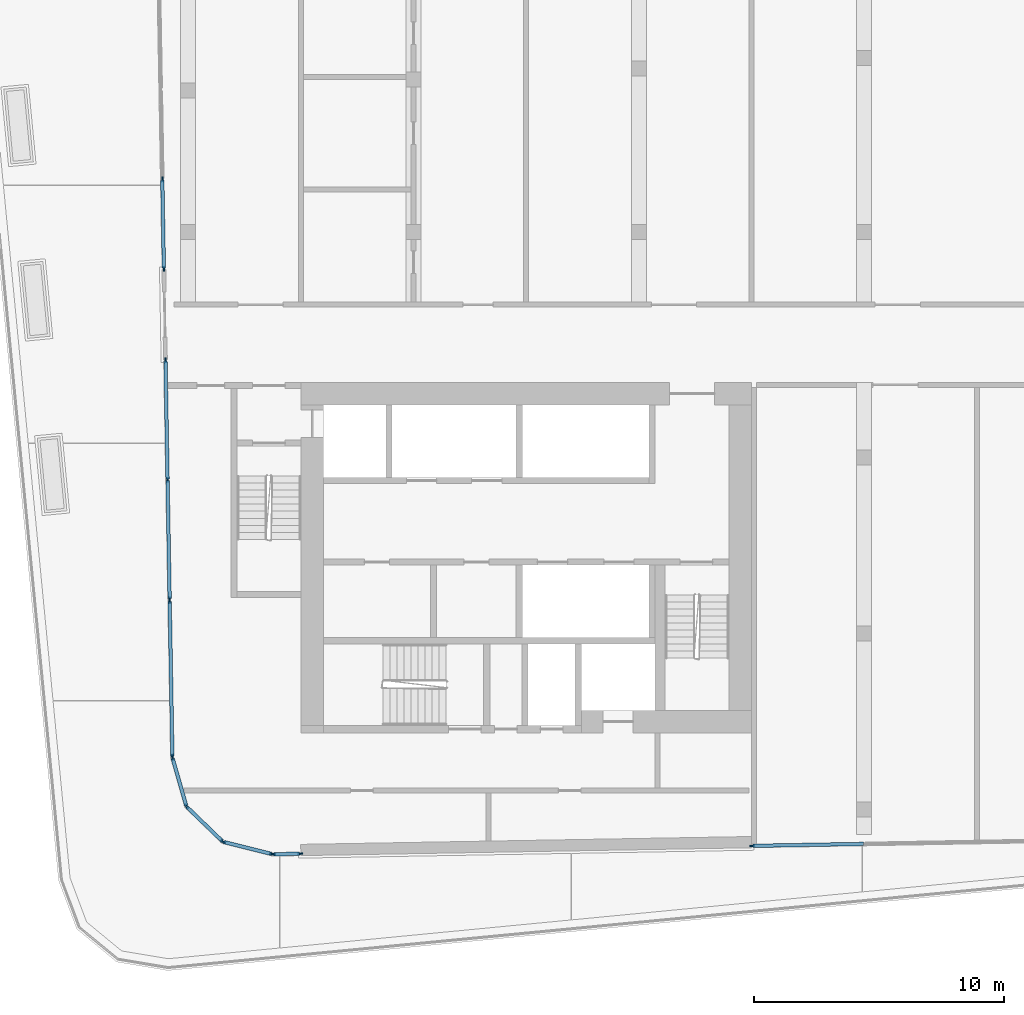
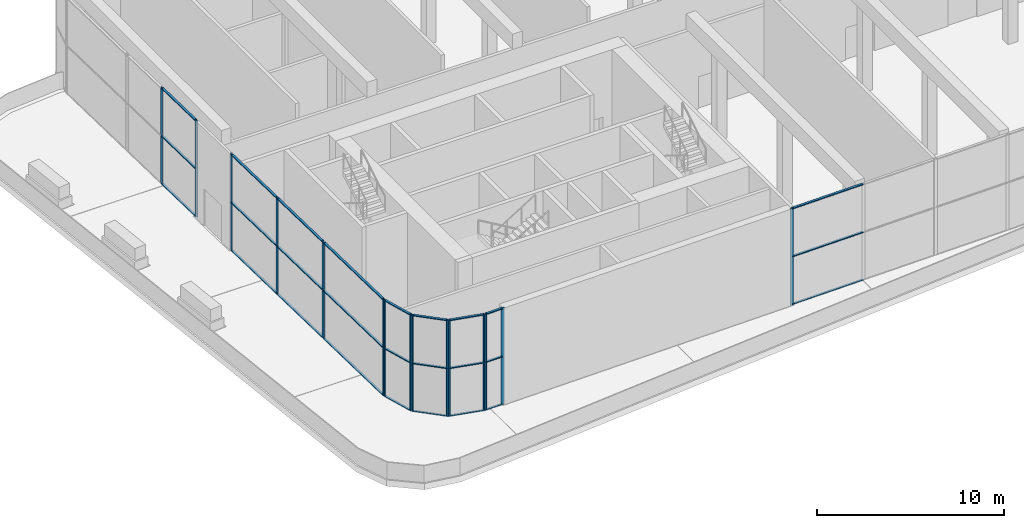
# One storey, part 2 of 24: 43 members, 8 elements without a shape of their own.
"""IFC4 building model written with IfcOpenShell, lengths in metres."""

from ifc_helpers import new_model, si_unit, direction, frame, origin, origin_2d, place, context, subcontext, project, spatial, rectangle, extrude, material, material_profile, profile_set, type_object, element, aggregate, save


model = new_model("IFC4")

# Units and contexts
model_context = context("Model", 3, precision=1e-05, world=origin(), true_north=direction((0.0, 1.0)))
body_context = subcontext(model_context, "Body", "Model", "MODEL_VIEW")
ifc_project = project(units=[si_unit("LENGTHUNIT", "METRE"), si_unit("AREAUNIT", "SQUARE_METRE"), si_unit("VOLUMEUNIT", "CUBIC_METRE"), si_unit("PLANEANGLEUNIT", "RADIAN"), si_unit("MASSUNIT", "GRAM", prefix="KILO")], contexts=[model_context])

# Site, building, storey
site_placement = place(None, origin())
site = spatial("IfcSite", under=ifc_project, at=site_placement, CompositionType="ELEMENT")
building_placement = place(site_placement, origin())
building = spatial("IfcBuilding", under=site, at=building_placement, Name="Kajstack Hotel Tower", CompositionType="ELEMENT")
storey_placement = place(building_placement, frame((0.0, 0.0, 211.10009765625)))
storey = spatial("IfcBuildingStorey", under=building, at=storey_placement, Name="L51", CompositionType="ELEMENT", Elevation=211.10009765625)

# Curtain wall, members
ifc_material_1 = material(Name="Aluminium-framed curtain wall, low-iron insulated glass", Category="aluminium")
curtain_wall_type = type_object("IfcCurtainWallType", Name="CW-GARDEN", PredefinedType="NOTDEFINED", material=ifc_material_1)
curtain_wall_1_placement = place(storey_placement, origin())
curtain_wall_1 = element("IfcCurtainWall", 1, at=curtain_wall_1_placement, inside=storey, type_object=curtain_wall_type, Name="Curtain wall CU6 L51-00-00-1", PredefinedType="NOTDEFINED")
ifc_material_2 = material(Name="Aluminium", Category="aluminium")
ifc_material_profile_1 = material_profile(ifc_material_2, rectangle(XDim=0.06005859375, YDim=0.199951171875, at=origin_2d()), Name="Aluminium mullion 60 x 200")
ifc_profile_set_1 = profile_set([ifc_material_profile_1], Name="Aluminium")
member_type_1 = type_object("IfcMemberType", Name="CW-M-GARDEN", PredefinedType="MULLION", material=ifc_profile_set_1)
member_1_placement = place(storey_placement, frame((-37.0341796875, 6.60107421875, 0.0), z_axis=(0.0, 0.0, 1.0), x_axis=(0.999847656664, 0.017454611534, 0.0)))
member_1 = element("IfcMember", 2, at=member_1_placement, type_object=member_type_1, Name="CU6 mullion 2", PredefinedType="MULLION", context=body_context, shape_type="SweptSolid", body=[
    extrude(rectangle(XDim=0.06005859375, YDim=0.199951171875, at=origin_2d()), origin(), (0.0, 0.0, 1.0), 6.31982421875),
])
member_2_placement = place(storey_placement, frame((-36.9716796875, 3.031005859375, 0.0), z_axis=(0.0, 0.0, 1.0), x_axis=(0.999847656664, 0.017454611534, 0.0)))
member_2 = element("IfcMember", 3, at=member_2_placement, type_object=member_type_1, Name="CU6 mullion 3", PredefinedType="MULLION", context=body_context, shape_type="SweptSolid", body=[
    extrude(rectangle(XDim=0.06005859375, YDim=0.199951171875, at=origin_2d()), origin(), (0.0, 0.0, 1.0), 6.31982421875),
])

curtain_wall_2_placement = place(storey_placement, origin())
curtain_wall_2 = element("IfcCurtainWall", 4, at=curtain_wall_2_placement, inside=storey, type_object=curtain_wall_type, Name="Curtain wall CU6 L51-00-02-0", PredefinedType="NOTDEFINED")
member_3_placement = place(storey_placement, frame((-36.907958984375, -0.62841796875, 0.0), z_axis=(0.0, 0.0, 1.0), x_axis=(0.999847658163, 0.017454525677, 0.0)))
member_3 = element("IfcMember", 5, at=member_3_placement, type_object=member_type_1, Name="CU6 mullion 1", PredefinedType="MULLION", context=body_context, shape_type="SweptSolid", body=[
    extrude(rectangle(XDim=0.06005859375, YDim=0.199951171875, at=origin_2d()), origin(), (0.0, 0.0, 1.0), 6.31982421875),
])
member_4_placement = place(storey_placement, frame((-36.82470703125, -5.398681640625, 0.0), z_axis=(0.0, 0.0, 1.0), x_axis=(0.999847658163, 0.017454525677, 0.0)))
member_4 = element("IfcMember", 6, at=member_4_placement, type_object=member_type_1, Name="CU6 mullion 2", PredefinedType="MULLION", context=body_context, shape_type="SweptSolid", body=[
    extrude(rectangle(XDim=0.06005859375, YDim=0.199951171875, at=origin_2d()), origin(), (0.0, 0.0, 1.0), 6.31982421875),
])
member_5_placement = place(storey_placement, frame((-36.741455078125, -10.168701171875, 0.0), z_axis=(0.0, 0.0, 1.0), x_axis=(0.999847658163, 0.017454525677, 0.0)))
member_5 = element("IfcMember", 7, at=member_5_placement, type_object=member_type_1, Name="CU6 mullion 3", PredefinedType="MULLION", context=body_context, shape_type="SweptSolid", body=[
    extrude(rectangle(XDim=0.06005859375, YDim=0.199951171875, at=origin_2d()), origin(), (0.0, 0.0, 1.0), 6.31982421875),
])

curtain_wall_3_placement = place(storey_placement, origin())
curtain_wall_3 = element("IfcCurtainWall", 8, at=curtain_wall_3_placement, inside=storey, type_object=curtain_wall_type, Name="Curtain wall CU6 L51-00-02-1", PredefinedType="NOTDEFINED")
member_6_placement = place(storey_placement, frame((-36.740234375, -10.228759765625, 0.0), z_axis=(0.0, 0.0, 1.0), x_axis=(0.99984765681, 0.017454603141, 0.0)))
member_6 = element("IfcMember", 9, at=member_6_placement, type_object=member_type_1, Name="CU6 mullion 1", PredefinedType="MULLION", context=body_context, shape_type="SweptSolid", body=[
    extrude(rectangle(XDim=0.06005859375, YDim=0.199951171875, at=origin_2d()), origin(), (0.0, 0.0, 1.0), 6.31982421875),
])
member_7_placement = place(storey_placement, frame((-36.63134765625, -16.46435546875, 0.0), z_axis=(0.0, 0.0, 1.0), x_axis=(0.99984765681, 0.017454603141, 0.0)))
member_7 = element("IfcMember", 10, at=member_7_placement, type_object=member_type_1, Name="CU6 mullion 2", PredefinedType="MULLION", context=body_context, shape_type="SweptSolid", body=[
    extrude(rectangle(XDim=0.06005859375, YDim=0.199951171875, at=origin_2d()), origin(), (0.0, 0.0, 1.0), 6.31982421875),
])

curtain_wall_4_placement = place(storey_placement, origin())
curtain_wall_4 = element("IfcCurtainWall", 11, at=curtain_wall_4_placement, inside=storey, type_object=curtain_wall_type, Name="Curtain wall CU6 L51-01-00-0", PredefinedType="NOTDEFINED")
member_8_placement = place(storey_placement, frame((-36.62548828125, -16.503662109375, 0.0), z_axis=(0.0, 0.0, 1.0), x_axis=(0.961262891321, 0.275633186987, 0.0)))
member_8 = element("IfcMember", 12, at=member_8_placement, type_object=member_type_1, Name="CU6 mullion 1", PredefinedType="MULLION", context=body_context, shape_type="SweptSolid", body=[
    extrude(rectangle(XDim=0.06005859375, YDim=0.199951171875, at=origin_2d()), origin(), (0.0, 0.0, 1.0), 6.31982421875),
])
member_9_placement = place(storey_placement, frame((-36.0712890625, -18.436279296875, 0.0), z_axis=(0.0, 0.0, 1.0), x_axis=(0.961262891321, 0.275633186987, 0.0)))
member_9 = element("IfcMember", 13, at=member_9_placement, type_object=member_type_1, Name="CU6 mullion 2", PredefinedType="MULLION", context=body_context, shape_type="SweptSolid", body=[
    extrude(rectangle(XDim=0.06005859375, YDim=0.199951171875, at=origin_2d()), origin(), (0.0, 0.0, 1.0), 6.31982421875),
])

curtain_wall_5_placement = place(storey_placement, origin())
curtain_wall_5 = element("IfcCurtainWall", 14, at=curtain_wall_5_placement, inside=storey, type_object=curtain_wall_type, Name="Curtain wall CU6 L51-02-00-0", PredefinedType="NOTDEFINED")
member_10_placement = place(storey_placement, frame((-36.0615234375, -18.452880859375, 0.0), z_axis=(0.0, 0.0, 1.0), x_axis=(0.694684144978, 0.719314909283, 0.0)))
member_10 = element("IfcMember", 15, at=member_10_placement, type_object=member_type_1, Name="CU6 mullion 1", PredefinedType="MULLION", context=body_context, shape_type="SweptSolid", body=[
    extrude(rectangle(XDim=0.06005859375, YDim=0.199951171875, at=origin_2d()), origin(), (0.0, 0.0, 1.0), 6.31982421875),
])
member_11_placement = place(storey_placement, frame((-34.615234375, -19.849609375, 0.0), z_axis=(0.0, 0.0, 1.0), x_axis=(0.694684144978, 0.719314909283, 0.0)))
member_11 = element("IfcMember", 16, at=member_11_placement, type_object=member_type_1, Name="CU6 mullion 2", PredefinedType="MULLION", context=body_context, shape_type="SweptSolid", body=[
    extrude(rectangle(XDim=0.06005859375, YDim=0.199951171875, at=origin_2d()), origin(), (0.0, 0.0, 1.0), 6.31982421875),
])

curtain_wall_6_placement = place(storey_placement, origin())
curtain_wall_6 = element("IfcCurtainWall", 17, at=curtain_wall_6_placement, inside=storey, type_object=curtain_wall_type, Name="Curtain wall CU6 L51-03-00-0", PredefinedType="NOTDEFINED")
member_12_placement = place(storey_placement, frame((-34.5986328125, -19.85888671875, 0.0), z_axis=(0.0, 0.0, 1.0), x_axis=(0.241910578206, 0.970298547949, 0.0)))
member_12 = element("IfcMember", 18, at=member_12_placement, type_object=member_type_1, Name="CU6 mullion 1", PredefinedType="MULLION", context=body_context, shape_type="SweptSolid", body=[
    extrude(rectangle(XDim=0.06005859375, YDim=0.199951171875, at=origin_2d()), origin(), (0.0, 0.0, 1.0), 6.31982421875),
])
member_13_placement = place(storey_placement, frame((-32.647705078125, -20.34521484375, 0.0), z_axis=(0.0, 0.0, 1.0), x_axis=(0.241910578206, 0.970298547949, 0.0)))
member_13 = element("IfcMember", 19, at=member_13_placement, type_object=member_type_1, Name="CU6 mullion 2", PredefinedType="MULLION", context=body_context, shape_type="SweptSolid", body=[
    extrude(rectangle(XDim=0.06005859375, YDim=0.199951171875, at=origin_2d()), origin(), (0.0, 0.0, 1.0), 6.31982421875),
])

curtain_wall_7_placement = place(storey_placement, origin())
curtain_wall_7 = element("IfcCurtainWall", 20, at=curtain_wall_7_placement, inside=storey, type_object=curtain_wall_type, Name="Curtain wall CU6 L51-04-00-0", PredefinedType="NOTDEFINED")
member_14_placement = place(storey_placement, frame((-32.60791015625, -20.349609375, 0.0), z_axis=(0.0, 0.0, 1.0), x_axis=(-0.01745273519, 0.999847689418, 0.0)))
member_14 = element("IfcMember", 21, at=member_14_placement, type_object=member_type_1, Name="CU6 mullion 1", PredefinedType="MULLION", context=body_context, shape_type="SweptSolid", body=[
    extrude(rectangle(XDim=0.06005859375, YDim=0.199951171875, at=origin_2d()), origin(), (0.0, 0.0, 1.0), 6.31982421875),
])
member_15_placement = place(storey_placement, frame((-31.53125, -20.330810546875, 0.0), z_axis=(0.0, 0.0, 1.0), x_axis=(-0.01745273519, 0.999847689418, 0.0)))
member_15 = element("IfcMember", 22, at=member_15_placement, type_object=member_type_1, Name="CU6 mullion 2", PredefinedType="MULLION", context=body_context, shape_type="SweptSolid", body=[
    extrude(rectangle(XDim=0.06005859375, YDim=0.199951171875, at=origin_2d()), origin(), (0.0, 0.0, 1.0), 6.31982421875),
])

# Curtain wall, member
curtain_wall_8_placement = place(storey_placement, origin())
curtain_wall_8 = element("IfcCurtainWall", 23, at=curtain_wall_8_placement, inside=storey, type_object=curtain_wall_type, Name="Curtain wall CU6 L51-04-02-0", PredefinedType="NOTDEFINED")
member_16_placement = place(storey_placement, frame((-13.471435546875, -20.015625, 0.0), z_axis=(0.0, 0.0, 1.0), x_axis=(-0.017452737319, 0.999847689381, 0.0)))
member_16 = element("IfcMember", 24, at=member_16_placement, type_object=member_type_1, Name="CU6 mullion 1", PredefinedType="MULLION", context=body_context, shape_type="SweptSolid", body=[
    extrude(rectangle(XDim=0.06005859375, YDim=0.199951171875, at=origin_2d()), origin(), (0.0, 0.0, 1.0), 6.31982421875),
])

# Member
ifc_material_profile_2 = material_profile(ifc_material_2, rectangle(XDim=0.139892578125, YDim=0.06005859375, at=origin_2d()), Name="Aluminium transom 140 x 60")
ifc_profile_set_2 = profile_set([ifc_material_profile_2], Name="Aluminium")
member_type_2 = type_object("IfcMemberType", Name="CW-T-GARDEN", PredefinedType="USERDEFINED", material=ifc_profile_set_2)
member_17_placement = place(storey_placement, frame((-37.03369140625, 6.571044921875, 0.02978515625), z_axis=(0.017455780531, -0.999847636256, 0.0), x_axis=(0.999847636256, 0.017455780531, 0.0)))
member_17 = element("IfcMember", 25, at=member_17_placement, type_object=member_type_2, Name="CU6 transom 2.1", ObjectType="TRANSOM", PredefinedType="USERDEFINED", context=body_context, shape_type="SweptSolid", body=[
    extrude(rectangle(XDim=0.139892578125, YDim=0.06005859375, at=origin_2d()), origin(), (0.0, 0.0, 1.0), 3.510498046875),
])

member_18_placement = place(storey_placement, frame((-37.03369140625, 6.571044921875, 3.159912109375), z_axis=(0.017455780531, -0.999847636256, 0.0), x_axis=(0.999847636256, 0.017455780531, 0.0)))
member_18 = element("IfcMember", 26, at=member_18_placement, type_object=member_type_2, Name="CU6 transom 2.2", ObjectType="TRANSOM", PredefinedType="USERDEFINED", context=body_context, shape_type="SweptSolid", body=[
    extrude(rectangle(XDim=0.139892578125, YDim=0.06005859375, at=origin_2d()), origin(), (0.0, 0.0, 1.0), 3.510498046875),
])

member_19_placement = place(storey_placement, frame((-37.03369140625, 6.571044921875, 6.289794921875), z_axis=(0.017455780531, -0.999847636256, 0.0), x_axis=(0.999847636256, 0.017455780531, 0.0)))
member_19 = element("IfcMember", 27, at=member_19_placement, type_object=member_type_2, Name="CU6 transom 2.3", ObjectType="TRANSOM", PredefinedType="USERDEFINED", context=body_context, shape_type="SweptSolid", body=[
    extrude(rectangle(XDim=0.139892578125, YDim=0.06005859375, at=origin_2d()), origin(), (0.0, 0.0, 1.0), 3.510498046875),
])

aggregate(curtain_wall_1, [member_1, member_2, member_17, member_18, member_19])

member_20_placement = place(storey_placement, frame((-36.907470703125, -0.658447265625, 0.02978515625), z_axis=(0.017464811086, -0.999847478555, 0.0), x_axis=(0.999847478555, 0.017464811086, 0.0)))
member_20 = element("IfcMember", 28, at=member_20_placement, type_object=member_type_2, Name="CU6 transom 1.1", ObjectType="TRANSOM", PredefinedType="USERDEFINED", context=body_context, shape_type="SweptSolid", body=[
    extrude(rectangle(XDim=0.139892578125, YDim=0.06005859375, at=origin_2d()), origin(), (0.0, 0.0, 1.0), 4.7109375),
])

member_21_placement = place(storey_placement, frame((-36.907470703125, -0.658447265625, 3.159912109375), z_axis=(0.017464811086, -0.999847478555, 0.0), x_axis=(0.999847478555, 0.017464811086, 0.0)))
member_21 = element("IfcMember", 29, at=member_21_placement, type_object=member_type_2, Name="CU6 transom 1.2", ObjectType="TRANSOM", PredefinedType="USERDEFINED", context=body_context, shape_type="SweptSolid", body=[
    extrude(rectangle(XDim=0.139892578125, YDim=0.06005859375, at=origin_2d()), origin(), (0.0, 0.0, 1.0), 4.7109375),
])

member_22_placement = place(storey_placement, frame((-36.907470703125, -0.658447265625, 6.289794921875), z_axis=(0.017464811086, -0.999847478555, 0.0), x_axis=(0.999847478555, 0.017464811086, 0.0)))
member_22 = element("IfcMember", 30, at=member_22_placement, type_object=member_type_2, Name="CU6 transom 1.3", ObjectType="TRANSOM", PredefinedType="USERDEFINED", context=body_context, shape_type="SweptSolid", body=[
    extrude(rectangle(XDim=0.139892578125, YDim=0.06005859375, at=origin_2d()), origin(), (0.0, 0.0, 1.0), 4.7109375),
])

member_23_placement = place(storey_placement, frame((-36.823974609375, -5.428466796875, 0.02978515625), z_axis=(0.017413002457, -0.999848382179, 0.0), x_axis=(0.999848382179, 0.017413002457, 0.0)))
member_23 = element("IfcMember", 31, at=member_23_placement, type_object=member_type_2, Name="CU6 transom 2.1", ObjectType="TRANSOM", PredefinedType="USERDEFINED", context=body_context, shape_type="SweptSolid", body=[
    extrude(rectangle(XDim=0.139892578125, YDim=0.06005859375, at=origin_2d()), origin(), (0.0, 0.0, 1.0), 4.7109375),
])

member_24_placement = place(storey_placement, frame((-36.823974609375, -5.428466796875, 3.159912109375), z_axis=(0.017413002457, -0.999848382179, 0.0), x_axis=(0.999848382179, 0.017413002457, 0.0)))
member_24 = element("IfcMember", 32, at=member_24_placement, type_object=member_type_2, Name="CU6 transom 2.2", ObjectType="TRANSOM", PredefinedType="USERDEFINED", context=body_context, shape_type="SweptSolid", body=[
    extrude(rectangle(XDim=0.139892578125, YDim=0.06005859375, at=origin_2d()), origin(), (0.0, 0.0, 1.0), 4.7109375),
])

member_25_placement = place(storey_placement, frame((-36.823974609375, -5.428466796875, 6.289794921875), z_axis=(0.017413002457, -0.999848382179, 0.0), x_axis=(0.999848382179, 0.017413002457, 0.0)))
member_25 = element("IfcMember", 33, at=member_25_placement, type_object=member_type_2, Name="CU6 transom 2.3", ObjectType="TRANSOM", PredefinedType="USERDEFINED", context=body_context, shape_type="SweptSolid", body=[
    extrude(rectangle(XDim=0.139892578125, YDim=0.06005859375, at=origin_2d()), origin(), (0.0, 0.0, 1.0), 4.7109375),
])

aggregate(curtain_wall_2, [member_3, member_4, member_5, member_20, member_21, member_22, member_23, member_24, member_25])

member_26_placement = place(storey_placement, frame((-36.73974609375, -10.2587890625, 0.02978515625), z_axis=(0.017431626544, -0.999848057655, 0.0), x_axis=(0.999848057655, 0.017431626544, 0.0)))
member_26 = element("IfcMember", 34, at=member_26_placement, type_object=member_type_2, Name="CU6 transom 1.1", ObjectType="TRANSOM", PredefinedType="USERDEFINED", context=body_context, shape_type="SweptSolid", body=[
    extrude(rectangle(XDim=0.139892578125, YDim=0.06005859375, at=origin_2d()), origin(), (0.0, 0.0, 1.0), 6.176513671875),
])

member_27_placement = place(storey_placement, frame((-36.73974609375, -10.2587890625, 3.159912109375), z_axis=(0.017431626544, -0.999848057655, 0.0), x_axis=(0.999848057655, 0.017431626544, 0.0)))
member_27 = element("IfcMember", 35, at=member_27_placement, type_object=member_type_2, Name="CU6 transom 1.2", ObjectType="TRANSOM", PredefinedType="USERDEFINED", context=body_context, shape_type="SweptSolid", body=[
    extrude(rectangle(XDim=0.139892578125, YDim=0.06005859375, at=origin_2d()), origin(), (0.0, 0.0, 1.0), 6.176513671875),
])

member_28_placement = place(storey_placement, frame((-36.73974609375, -10.2587890625, 6.289794921875), z_axis=(0.017431626544, -0.999848057655, 0.0), x_axis=(0.999848057655, 0.017431626544, 0.0)))
member_28 = element("IfcMember", 36, at=member_28_placement, type_object=member_type_2, Name="CU6 transom 1.3", ObjectType="TRANSOM", PredefinedType="USERDEFINED", context=body_context, shape_type="SweptSolid", body=[
    extrude(rectangle(XDim=0.139892578125, YDim=0.06005859375, at=origin_2d()), origin(), (0.0, 0.0, 1.0), 6.176513671875),
])

aggregate(curtain_wall_3, [member_6, member_7, member_26, member_27, member_28])

member_29_placement = place(storey_placement, frame((-36.6171875, -16.53271484375, 0.02978515625), z_axis=(0.275646861845, -0.961258970078, 0.0), x_axis=(0.961258970078, 0.275646861845, 0.0)))
member_29 = element("IfcMember", 37, at=member_29_placement, type_object=member_type_2, Name="CU6 transom 1.1", ObjectType="TRANSOM", PredefinedType="USERDEFINED", context=body_context, shape_type="SweptSolid", body=[
    extrude(rectangle(XDim=0.139892578125, YDim=0.06005859375, at=origin_2d()), origin(), (0.0, 0.0, 1.0), 1.9501953125),
])

member_30_placement = place(storey_placement, frame((-36.6171875, -16.53271484375, 3.159912109375), z_axis=(0.275646861845, -0.961258970078, 0.0), x_axis=(0.961258970078, 0.275646861845, 0.0)))
member_30 = element("IfcMember", 38, at=member_30_placement, type_object=member_type_2, Name="CU6 transom 1.2", ObjectType="TRANSOM", PredefinedType="USERDEFINED", context=body_context, shape_type="SweptSolid", body=[
    extrude(rectangle(XDim=0.139892578125, YDim=0.06005859375, at=origin_2d()), origin(), (0.0, 0.0, 1.0), 1.9501953125),
])

member_31_placement = place(storey_placement, frame((-36.6171875, -16.53271484375, 6.289794921875), z_axis=(0.275646861845, -0.961258970078, 0.0), x_axis=(0.961258970078, 0.275646861845, 0.0)))
member_31 = element("IfcMember", 39, at=member_31_placement, type_object=member_type_2, Name="CU6 transom 1.3", ObjectType="TRANSOM", PredefinedType="USERDEFINED", context=body_context, shape_type="SweptSolid", body=[
    extrude(rectangle(XDim=0.139892578125, YDim=0.06005859375, at=origin_2d()), origin(), (0.0, 0.0, 1.0), 1.9501953125),
])

aggregate(curtain_wall_4, [member_8, member_9, member_29, member_30, member_31])

member_32_placement = place(storey_placement, frame((-36.0400390625, -18.4736328125, 0.02978515625), z_axis=(0.719328128678, -0.694670456614, 0.0), x_axis=(0.694670456614, 0.719328128678, 0.0)))
member_32 = element("IfcMember", 40, at=member_32_placement, type_object=member_type_2, Name="CU6 transom 1.1", ObjectType="TRANSOM", PredefinedType="USERDEFINED", context=body_context, shape_type="SweptSolid", body=[
    extrude(rectangle(XDim=0.139892578125, YDim=0.06005859375, at=origin_2d()), origin(), (0.0, 0.0, 1.0), 1.950439453125),
])

member_33_placement = place(storey_placement, frame((-36.0400390625, -18.4736328125, 3.159912109375), z_axis=(0.719328128678, -0.694670456614, 0.0), x_axis=(0.694670456614, 0.719328128678, 0.0)))
member_33 = element("IfcMember", 41, at=member_33_placement, type_object=member_type_2, Name="CU6 transom 1.2", ObjectType="TRANSOM", PredefinedType="USERDEFINED", context=body_context, shape_type="SweptSolid", body=[
    extrude(rectangle(XDim=0.139892578125, YDim=0.06005859375, at=origin_2d()), origin(), (0.0, 0.0, 1.0), 1.950439453125),
])

member_34_placement = place(storey_placement, frame((-36.0400390625, -18.4736328125, 6.289794921875), z_axis=(0.719328128678, -0.694670456614, 0.0), x_axis=(0.694670456614, 0.719328128678, 0.0)))
member_34 = element("IfcMember", 42, at=member_34_placement, type_object=member_type_2, Name="CU6 transom 1.3", ObjectType="TRANSOM", PredefinedType="USERDEFINED", context=body_context, shape_type="SweptSolid", body=[
    extrude(rectangle(XDim=0.139892578125, YDim=0.06005859375, at=origin_2d()), origin(), (0.0, 0.0, 1.0), 1.950439453125),
])

aggregate(curtain_wall_5, [member_10, member_11, member_32, member_33, member_34])

member_35_placement = place(storey_placement, frame((-34.5693359375, -19.865966796875, 0.02978515625), z_axis=(0.970289575869, -0.241946562198, 0.0), x_axis=(0.241946562198, 0.970289575869, 0.0)))
member_35 = element("IfcMember", 43, at=member_35_placement, type_object=member_type_2, Name="CU6 transom 1.1", ObjectType="TRANSOM", PredefinedType="USERDEFINED", context=body_context, shape_type="SweptSolid", body=[
    extrude(rectangle(XDim=0.139892578125, YDim=0.06005859375, at=origin_2d()), origin(), (0.0, 0.0, 1.0), 1.950439453125),
])

member_36_placement = place(storey_placement, frame((-34.5693359375, -19.865966796875, 3.159912109375), z_axis=(0.970289575869, -0.241946562198, 0.0), x_axis=(0.241946562198, 0.970289575869, 0.0)))
member_36 = element("IfcMember", 44, at=member_36_placement, type_object=member_type_2, Name="CU6 transom 1.2", ObjectType="TRANSOM", PredefinedType="USERDEFINED", context=body_context, shape_type="SweptSolid", body=[
    extrude(rectangle(XDim=0.139892578125, YDim=0.06005859375, at=origin_2d()), origin(), (0.0, 0.0, 1.0), 1.950439453125),
])

member_37_placement = place(storey_placement, frame((-34.5693359375, -19.865966796875, 6.289794921875), z_axis=(0.970289575869, -0.241946562198, 0.0), x_axis=(0.241946562198, 0.970289575869, 0.0)))
member_37 = element("IfcMember", 45, at=member_37_placement, type_object=member_type_2, Name="CU6 transom 1.3", ObjectType="TRANSOM", PredefinedType="USERDEFINED", context=body_context, shape_type="SweptSolid", body=[
    extrude(rectangle(XDim=0.139892578125, YDim=0.06005859375, at=origin_2d()), origin(), (0.0, 0.0, 1.0), 1.950439453125),
])

aggregate(curtain_wall_6, [member_12, member_13, member_35, member_36, member_37])

member_38_placement = place(storey_placement, frame((-32.578125, -20.34912109375, 0.02978515625), z_axis=(0.999846437326, 0.01752431931, 0.0), x_axis=(-0.01752431931, 0.999846437326, 0.0)))
member_38 = element("IfcMember", 46, at=member_38_placement, type_object=member_type_2, Name="CU6 transom 1.1", ObjectType="TRANSOM", PredefinedType="USERDEFINED", context=body_context, shape_type="SweptSolid", body=[
    extrude(rectangle(XDim=0.139892578125, YDim=0.06005859375, at=origin_2d()), origin(), (0.0, 0.0, 1.0), 1.01708984375),
])

member_39_placement = place(storey_placement, frame((-32.578125, -20.34912109375, 3.159912109375), z_axis=(0.999846437326, 0.01752431931, 0.0), x_axis=(-0.01752431931, 0.999846437326, 0.0)))
member_39 = element("IfcMember", 47, at=member_39_placement, type_object=member_type_2, Name="CU6 transom 1.2", ObjectType="TRANSOM", PredefinedType="USERDEFINED", context=body_context, shape_type="SweptSolid", body=[
    extrude(rectangle(XDim=0.139892578125, YDim=0.06005859375, at=origin_2d()), origin(), (0.0, 0.0, 1.0), 1.01708984375),
])

member_40_placement = place(storey_placement, frame((-32.578125, -20.34912109375, 6.289794921875), z_axis=(0.999846437326, 0.01752431931, 0.0), x_axis=(-0.01752431931, 0.999846437326, 0.0)))
member_40 = element("IfcMember", 48, at=member_40_placement, type_object=member_type_2, Name="CU6 transom 1.3", ObjectType="TRANSOM", PredefinedType="USERDEFINED", context=body_context, shape_type="SweptSolid", body=[
    extrude(rectangle(XDim=0.139892578125, YDim=0.06005859375, at=origin_2d()), origin(), (0.0, 0.0, 1.0), 1.01708984375),
])

aggregate(curtain_wall_7, [member_14, member_15, member_38, member_39, member_40])

member_41_placement = place(storey_placement, frame((-13.44140625, -20.01513671875, 0.02978515625), z_axis=(0.999847992775, 0.017435347527, 0.0), x_axis=(-0.017435347527, 0.999847992775, 0.0)))
member_41 = element("IfcMember", 49, at=member_41_placement, type_object=member_type_2, Name="CU6 transom 1.1", ObjectType="TRANSOM", PredefinedType="USERDEFINED", context=body_context, shape_type="SweptSolid", body=[
    extrude(rectangle(XDim=0.139892578125, YDim=0.06005859375, at=origin_2d()), origin(), (0.0, 0.0, 1.0), 4.410888671875),
])

member_42_placement = place(storey_placement, frame((-13.44140625, -20.01513671875, 3.159912109375), z_axis=(0.999847992775, 0.017435347527, 0.0), x_axis=(-0.017435347527, 0.999847992775, 0.0)))
member_42 = element("IfcMember", 50, at=member_42_placement, type_object=member_type_2, Name="CU6 transom 1.2", ObjectType="TRANSOM", PredefinedType="USERDEFINED", context=body_context, shape_type="SweptSolid", body=[
    extrude(rectangle(XDim=0.139892578125, YDim=0.06005859375, at=origin_2d()), origin(), (0.0, 0.0, 1.0), 4.410888671875),
])

member_43_placement = place(storey_placement, frame((-13.44140625, -20.01513671875, 6.289794921875), z_axis=(0.999847992775, 0.017435347527, 0.0), x_axis=(-0.017435347527, 0.999847992775, 0.0)))
member_43 = element("IfcMember", 51, at=member_43_placement, type_object=member_type_2, Name="CU6 transom 1.3", ObjectType="TRANSOM", PredefinedType="USERDEFINED", context=body_context, shape_type="SweptSolid", body=[
    extrude(rectangle(XDim=0.139892578125, YDim=0.06005859375, at=origin_2d()), origin(), (0.0, 0.0, 1.0), 4.410888671875),
])

aggregate(curtain_wall_8, [member_16, member_41, member_42, member_43])

save(model, "model.ifc")
